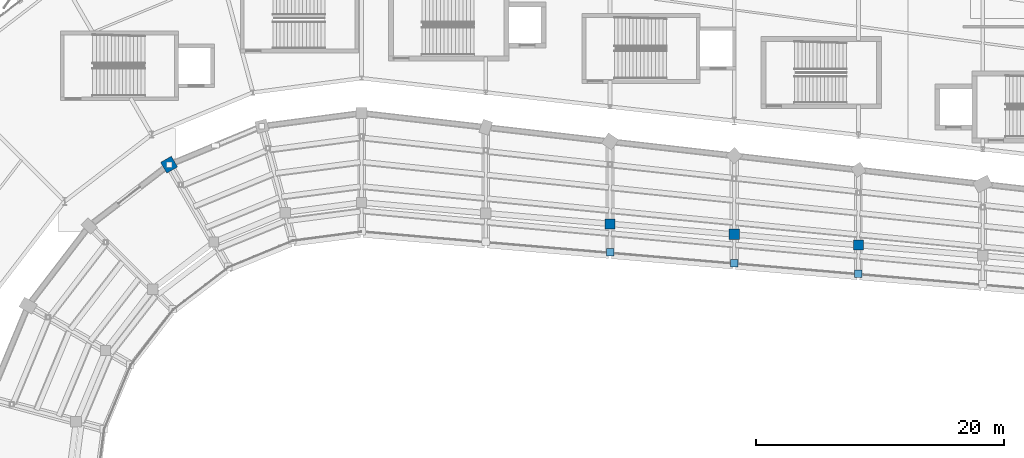
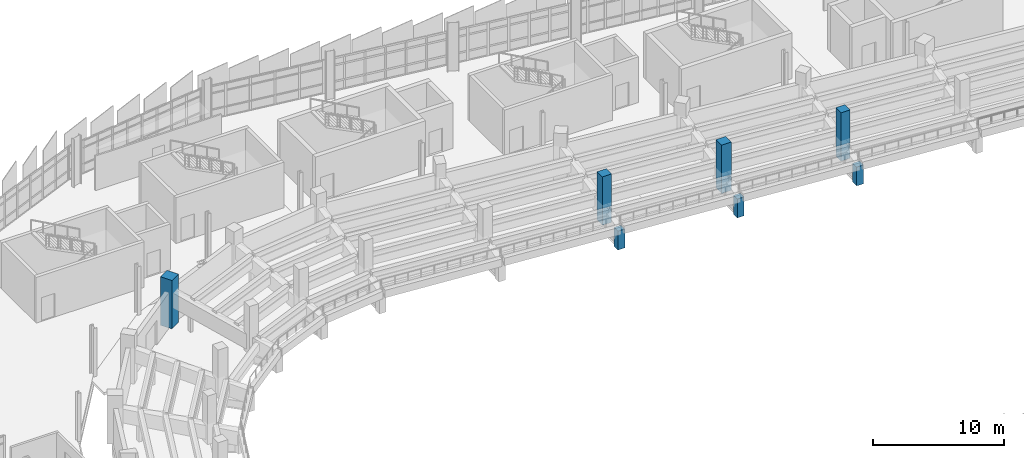
# One storey, part 14 of 120: 7 columns.
"""IFC4 building model written with IfcOpenShell, lengths in metres."""

import ifcopenshell
import ifcopenshell.guid

model = None  # the IFC model being written
_history = None  # IfcOwnerHistory: only IFC2X3 demands one
_inside = {}  # id of a spatial element -> (the spatial element, [elements in it])
_under = {}  # id of a project, library or spatial element -> (it, [spatial elements below it])
_declared = {}  # id of a project -> (the project, [libraries it declares])
_typed = {}  # id of a type object -> (the type object, [elements of that type])
_made_of = {}  # id of a material, layer set ... -> (it, [elements and type objects made of it])


def new_model(schema):
    """Start an empty IFC model of exactly this schema.

    Asked for "IFC4X3", IfcOpenShell would pick the latest addendum, in which some entities
    have other attributes; the version numbers below select the first issue.
    IFC2X3 requires an IfcOwnerHistory on every rooted entity: one is made here for all.
    """
    global model, _history
    if schema == "IFC4X3":
        model = ifcopenshell.file(schema_version=(4, 3, 0, 0))
    else:
        model = ifcopenshell.file(schema=schema)
    _inside.clear()
    _under.clear()
    _declared.clear()
    _typed.clear()
    _made_of.clear()
    _history = None
    if model.schema == "IFC2X3":
        org = make("IfcOrganization", Name="unknown")
        user = make(
            "IfcPersonAndOrganization",
            ThePerson=make("IfcPerson", FamilyName="unknown"),
            TheOrganization=org,
        )
        app = make(
            "IfcApplication",
            ApplicationDeveloper=org,
            Version="unknown",
            ApplicationFullName="unknown",
            ApplicationIdentifier="unknown",
        )
        _history = make(
            "IfcOwnerHistory",
            OwningUser=user,
            OwningApplication=app,
            ChangeAction="ADDED",
            CreationDate=0,
        )
    return model


def make(cls, **values):
    """One entity of the class cls with the attributes given. An attribute that is None is left unset."""
    return model.create_entity(
        cls, **{name: value for name, value in values.items() if value is not None}
    )


def rooted(cls, **values):
    """An entity with a GlobalId (a new one), such as an element, a storey or a relation."""
    return make(cls, GlobalId=ifcopenshell.guid.new(), OwnerHistory=_history, **values)


def si_unit(unit_type, name, prefix=None):
    """IfcSIUnit, for example si_unit("LENGTHUNIT", "METRE", prefix="MILLI")."""
    return make("IfcSIUnit", UnitType=unit_type, Prefix=prefix, Name=name)


def assignment(units):
    """IfcUnitAssignment: the units of a project."""
    return None if units is None else make("IfcUnitAssignment", Units=units)


def point(xyz):
    """IfcCartesianPoint."""
    return None if xyz is None else make("IfcCartesianPoint", Coordinates=xyz)


def direction(xyz):
    """IfcDirection."""
    return None if xyz is None else make("IfcDirection", DirectionRatios=xyz)


def frame(location, z_axis=None, x_axis=None):
    """IfcAxis2Placement3D, a coordinate frame: its origin and axes. An axis left out is left unset."""
    return make(
        "IfcAxis2Placement3D",
        Location=point(location),
        Axis=direction(z_axis),
        RefDirection=direction(x_axis),
    )


def frame_2d(location, x_axis=None):
    """IfcAxis2Placement2D, a coordinate frame in the plane: its origin and x axis."""
    return make(
        "IfcAxis2Placement2D", Location=point(location), RefDirection=direction(x_axis)
    )


def origin():
    """The frame at (0, 0, 0) with its axes left unset."""
    return frame((0.0, 0.0, 0.0))


def origin_2d():
    """The frame at (0, 0) in the plane with its x axis left unset."""
    return frame_2d((0.0, 0.0))


def place(relative_to, where):
    """IfcLocalPlacement: puts the frame where relative to a parent placement (None: the world)."""
    return make(
        "IfcLocalPlacement", PlacementRelTo=relative_to, RelativePlacement=where
    )


def context(
    kind, dimensions, precision=None, world=None, true_north=None, identifier=None
):
    """IfcGeometricRepresentationContext, for example the 3D "Model" context."""
    return make(
        "IfcGeometricRepresentationContext",
        ContextIdentifier=identifier,
        ContextType=kind,
        CoordinateSpaceDimension=dimensions,
        Precision=precision,
        WorldCoordinateSystem=world,
        TrueNorth=true_north,
    )


def subcontext(parent, identifier, kind, view, scale=None):
    """IfcGeometricRepresentationSubContext, for example "Body" below "Model"."""
    return make(
        "IfcGeometricRepresentationSubContext",
        ContextIdentifier=identifier,
        ContextType=kind,
        ParentContext=parent,
        TargetScale=scale,
        TargetView=view,
    )


def project(units=None, contexts=None):
    """IfcProject with its units and contexts."""
    return rooted(
        "IfcProject",
        Name="project",
        RepresentationContexts=contexts,
        UnitsInContext=assignment(units),
    )


def spatial(cls, under=None, at=None, **own):
    """A site, building, storey or space (cls), placed at a placement, below another one or the project."""
    s = rooted(cls, ObjectPlacement=at, **own)
    if under is not None:
        _under.setdefault(under.id(), (under, []))[1].append(s)
    return s


def profile(cls, at=None, kind="AREA", **sizes):
    """A parametric profile (cls). Its sizes go by their IFC names, for example OverallWidth=200.0."""
    return make(cls, ProfileType=kind, Position=at, **sizes)


def rectangle(**sizes):
    """IfcRectangleProfileDef."""
    return profile("IfcRectangleProfileDef", **sizes)


def extrude(swept, where, along, depth):
    """IfcExtrudedAreaSolid: the profile swept, set in the frame where, extruded along a direction by depth."""
    return make(
        "IfcExtrudedAreaSolid",
        SweptArea=swept,
        Position=where,
        ExtrudedDirection=direction(along),
        Depth=depth,
    )


def shape(context_of_items, identifier, shape_type, items):
    """IfcShapeRepresentation: the items that make up one representation, for example the "Body"."""
    return make(
        "IfcShapeRepresentation",
        ContextOfItems=context_of_items,
        RepresentationIdentifier=identifier,
        RepresentationType=shape_type,
        Items=items,
    )


def material(Name=None, Category=None):
    """IfcMaterial."""
    return make("IfcMaterial", Name=Name, Category=Category)


def material_profile(
    of_material, cross_section, Name=None, Category=None, Priority=None
):
    """IfcMaterialProfile: a cross section and its material."""
    return make(
        "IfcMaterialProfile",
        Name=Name,
        Material=of_material,
        Profile=cross_section,
        Priority=Priority,
        Category=Category,
    )


def profile_set(profiles, Name=None, composite=None):
    """IfcMaterialProfileSet."""
    return make(
        "IfcMaterialProfileSet",
        Name=Name,
        MaterialProfiles=profiles,
        CompositeProfile=composite,
    )


def made_of(thing, what):
    """Note that an element or type object is made of a material, layer set ...; save() writes the relation."""
    if what is not None:
        _made_of.setdefault(what.id(), (what, []))[1].append(thing)
    return thing


def type_object(cls, material=None, **own):
    """A type object (cls), such as IfcWallType, which elements share."""
    return made_of(rooted(cls, **own), material)


def element(
    cls,
    number,
    at=None,
    inside=None,
    cuts=None,
    type_object=None,
    material=None,
    context=None,
    identifier="Body",
    shape_type=None,
    held_by="IfcProductDefinitionShape",
    body=None,
    shapes=None,
    **own,
):
    """One element of the class cls, such as IfcWall. Its Tag is "e" and its number.

    at: its placement. inside: the storey or other place that contains it. cuts: it is an
    opening in that element (IfcRelVoidsElement). A single representation is given by context,
    identifier, shape_type and body (its items); several are given by shapes. held_by: the class
    of the entity that holds the representations. save() writes the other relations.
    """
    e = rooted(cls, Tag="e%d" % number, ObjectPlacement=at, **own)
    if body is not None:
        shapes = [shape(context, identifier, shape_type, body)]
    if shapes is not None:
        e.Representation = make(held_by, Representations=shapes)
    if inside is not None:
        _inside.setdefault(inside.id(), (inside, []))[1].append(e)
    if cuts is not None:
        rooted(
            "IfcRelVoidsElement", RelatingBuildingElement=cuts, RelatedOpeningElement=e
        )
    if type_object is not None:
        _typed.setdefault(type_object.id(), (type_object, []))[1].append(e)
    return made_of(e, material)


def aggregate(whole, parts):
    """IfcRelAggregates: a whole, such as a stair, and the parts it consists of."""
    return rooted("IfcRelAggregates", RelatingObject=whole, RelatedObjects=parts)


def save(model, path):
    """Write the relations noted so far, then the file.

    IfcRelAggregates (storeys below a building ...), IfcRelContainedInSpatialStructure (elements
    in a storey), IfcRelDefinesByType, IfcRelAssociatesMaterial and IfcRelDeclares: one each for
    every whole, place, type object, material and project.
    """
    for whole, parts in _under.values():
        aggregate(whole, parts)
    for where, things in _inside.values():
        rooted(
            "IfcRelContainedInSpatialStructure",
            RelatedElements=things,
            RelatingStructure=where,
        )
    for kind, things in _typed.values():
        rooted("IfcRelDefinesByType", RelatedObjects=things, RelatingType=kind)
    for what, things in _made_of.values():
        rooted("IfcRelAssociatesMaterial", RelatedObjects=things, RelatingMaterial=what)
    for by, libraries in _declared.values():
        rooted("IfcRelDeclares", RelatingContext=by, RelatedDefinitions=libraries)
    model.write(path)


model = new_model("IFC4")

# Units and contexts
model_context = context("Model", 3, precision=1e-05, world=origin(), true_north=direction((0.0, 1.0)))
body_context = subcontext(model_context, "Body", "Model", "MODEL_VIEW")
ifc_project = project(units=[si_unit("LENGTHUNIT", "METRE"), si_unit("AREAUNIT", "SQUARE_METRE"), si_unit("VOLUMEUNIT", "CUBIC_METRE"), si_unit("PLANEANGLEUNIT", "RADIAN"), si_unit("MASSUNIT", "GRAM", prefix="KILO")], contexts=[model_context])

# Site, building, storey
site_placement = place(None, origin())
site = spatial("IfcSite", under=ifc_project, at=site_placement, CompositionType="ELEMENT")
building_placement = place(site_placement, origin())
building = spatial("IfcBuilding", under=site, at=building_placement, Name="Sohan Crest Arena", CompositionType="ELEMENT")
storey_placement = place(building_placement, frame((0.0, 0.0, 13.5)))
storey = spatial("IfcBuildingStorey", under=building, at=storey_placement, Name="L03", CompositionType="ELEMENT", Elevation=13.5)

# Columns
ifc_material = material(Name="Concrete C40/50", Category="concrete")
ifc_material_profile_1 = material_profile(ifc_material, rectangle(XDim=0.60009765625, YDim=0.60009765625, at=origin_2d()), Name="RC 600x600")
ifc_profile_set_1 = profile_set([ifc_material_profile_1], Name="Concrete C40/50")
column_type_1 = type_object("IfcColumnType", Name="STR-COL-C01", PredefinedType="COLUMN", material=ifc_profile_set_1)
for number, where, z_axis, x_axis, name in (
    (1, (138.0, 96.071044921875, -1.0), (0.0, 0.0, 1.0), (1.0, 0.0, 0.0), "Upper tier nose support column RKP-N31"),
    (2, (128.0, 96.928955078125, -1.0), (0.0, 0.0, 1.0), (1.0, 0.0, 0.0), "Upper tier nose support column RKP-N32"),
    (3, (118.0, 97.785888671875, -1.0), (0.0, 0.0, 1.0), (1.0, 0.0, 0.0), "Upper tier nose support column RKP-N33"),
):
    element("IfcColumn", number, at=place(storey_placement, frame(where, z_axis=z_axis, x_axis=x_axis)), inside=storey, type_object=column_type_1, Name=name, PredefinedType="COLUMN", context=body_context, shape_type="SweptSolid", body=[
        extrude(rectangle(XDim=0.60009765625, YDim=0.60009765625, at=origin_2d()), origin(), (0.0, 0.0, 1.0), 1.75),
    ])
ifc_material_profile_2 = material_profile(ifc_material, rectangle(XDim=0.800048828125, YDim=0.800048828125, at=origin_2d()), Name="RC 800x800")
ifc_profile_set_2 = profile_set([ifc_material_profile_2], Name="Concrete C40/50")
column_type_2 = type_object("IfcColumnType", Name="STR-COL-C05", PredefinedType="COLUMN", material=ifc_profile_set_2)
for number, where, z_axis, x_axis, name in (
    (4, (138.0, 98.37109375, 0.0), (0.0, 0.0, 1.0), (1.0, 0.0, 0.0), "Structural column COL-V1M-31-L03"),
    (5, (118.0, 100.0859375, 0.0), (0.0, 0.0, 1.0), (1.0, 0.0, 0.0), "Structural column COL-V1M-33-L03"),
):
    element("IfcColumn", number, at=place(storey_placement, frame(where, z_axis=z_axis, x_axis=x_axis)), inside=storey, type_object=column_type_2, Name=name, PredefinedType="COLUMN", context=body_context, shape_type="SweptSolid", body=[
        extrude(rectangle(XDim=0.800048828125, YDim=0.800048828125, at=origin_2d()), origin(), (0.0, 0.0, 1.0), 4.5),
    ])
ifc_material_profile_3 = material_profile(ifc_material, rectangle(XDim=0.85009765625, YDim=0.85009765625, at=origin_2d()), Name="RC 850x850")
ifc_profile_set_3 = profile_set([ifc_material_profile_3], Name="Concrete C40/50")
column_type_3 = type_object("IfcColumnType", Name="STR-COL-C06", PredefinedType="COLUMN", material=ifc_profile_set_3)
column_1_placement = place(storey_placement, frame((128.0, 99.22900390625, 0.0), z_axis=(0.0, 0.0, 1.0), x_axis=(1.0, 0.0, 0.0)))
element("IfcColumn", 6, at=column_1_placement, inside=storey, type_object=column_type_3, Name="Structural column COL-V1M-32-L03", PredefinedType="COLUMN", context=body_context, shape_type="SweptSolid", body=[
    extrude(rectangle(XDim=0.85009765625, YDim=0.85009765625, at=origin_2d()), origin(), (0.0, 0.0, 1.0), 4.5),
])
ifc_material_profile_4 = material_profile(ifc_material, rectangle(XDim=1.0, YDim=1.0, at=origin_2d()), Name="RC 1000x1000")
ifc_profile_set_4 = profile_set([ifc_material_profile_4], Name="Concrete C40/50")
column_type_4 = type_object("IfcColumnType", Name="STR-COL-C09", PredefinedType="COLUMN", material=ifc_profile_set_4)
column_2_placement = place(storey_placement, frame((82.5, 104.846923828125, 0.0), z_axis=(0.0, 0.0, 1.0), x_axis=(-0.5, 0.866025403784, 0.0)))
element("IfcColumn", 7, at=column_2_placement, inside=storey, type_object=column_type_4, Name="Structural column COL-V1R-03-L03", PredefinedType="COLUMN", context=body_context, shape_type="SweptSolid", body=[
    extrude(rectangle(XDim=1.0, YDim=1.0, at=origin_2d()), origin(), (0.0, 0.0, 1.0), 4.5),
])

save(model, "model.ifc")
